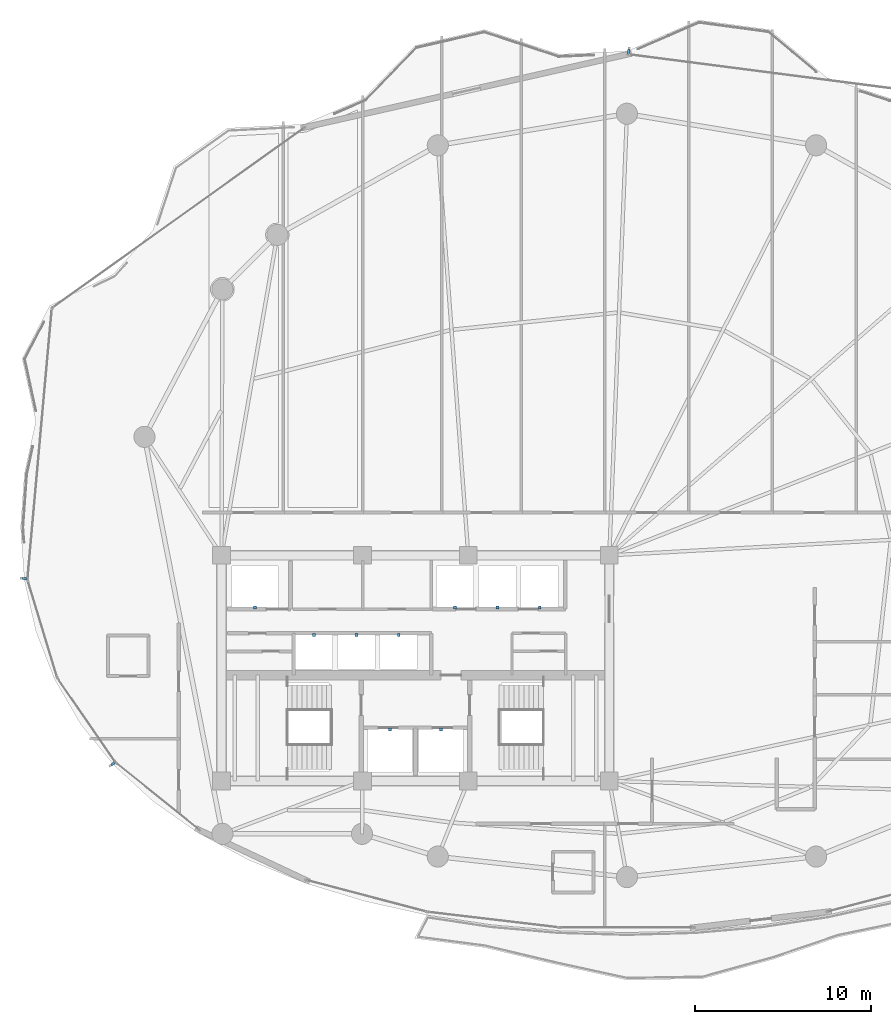
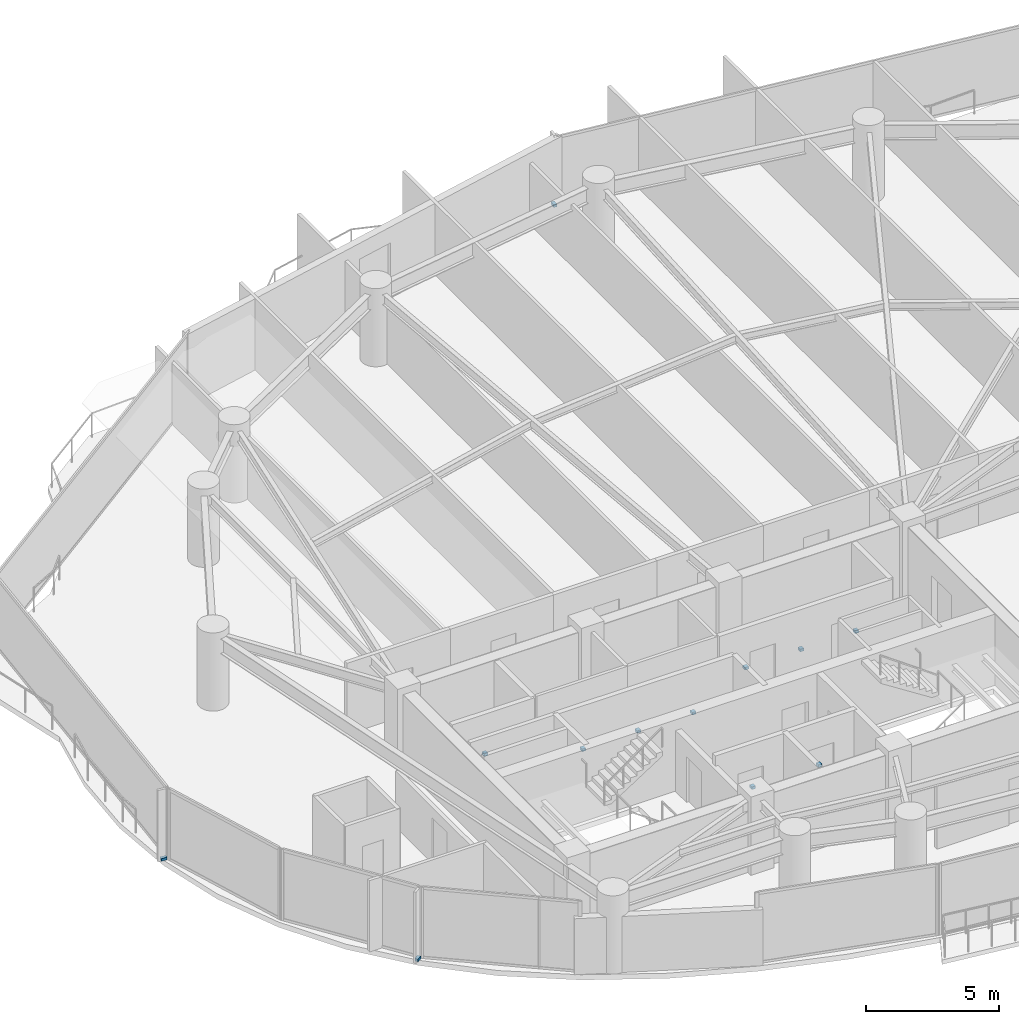
# One storey, part 29 of 33: 12 discrete accessories.
"""IFC4 building model written with IfcOpenShell, lengths in metres."""

from ifc_helpers import new_model, si_unit, direction, frame, origin, origin_2d, place, context, subcontext, project, spatial, rectangle, extrude, material, type_object, element, save


model = new_model("IFC4")

# Units and contexts
model_context = context("Model", 3, precision=1e-05, world=origin(), true_north=direction((0.0, 1.0)))
body_context = subcontext(model_context, "Body", "Model", "MODEL_VIEW")
ifc_project = project(units=[si_unit("LENGTHUNIT", "METRE"), si_unit("AREAUNIT", "SQUARE_METRE"), si_unit("VOLUMEUNIT", "CUBIC_METRE"), si_unit("PLANEANGLEUNIT", "RADIAN"), si_unit("MASSUNIT", "GRAM", prefix="KILO")], contexts=[model_context])

# Site, building, storey
site_placement = place(None, origin())
site = spatial("IfcSite", under=ifc_project, at=site_placement, CompositionType="ELEMENT")
building_placement = place(site_placement, origin())
building = spatial("IfcBuilding", under=site, at=building_placement, Name="Kazevale Care Tower and Concert Hall", CompositionType="ELEMENT")
storey_placement = place(building_placement, frame((0.0, 0.0, 178.199951171875)))
storey = spatial("IfcBuildingStorey", under=building, at=storey_placement, Name="L47", CompositionType="ELEMENT", Elevation=178.199951171875)

# Discrete accessories
ifc_material = material(Name="Stainless Steel 316", Category="steel")
discrete_accessory_type_1 = type_object("IfcDiscreteAccessoryType", Name="Facade Fin Stainless Anchor Bracket BRK-1", PredefinedType="BRACKET", material=ifc_material)
for number, where, z_axis, x_axis, name in (
    (1, (15.84130859375, 24.574462890625, 0.0), (0.0, 0.0, 1.0), (-0.823334533242, -0.567556381667, 0.0), "cw:L47:f11:brk"),
    (2, (10.829345703125, 35.0791015625, 0.0), (0.0, 0.0, 1.0), (-0.995963111248, 0.089763472712, 0.0), "cw:L47:f13:brk"),
    (3, (45.09814453125, 64.970947265625, 0.0), (0.0, 0.0, 1.0), (0.12827634114, 0.991738463661, 0.0), "cw:L47:f16:brk"),
):
    element("IfcDiscreteAccessory", number, at=place(storey_placement, frame(where, z_axis=z_axis, x_axis=x_axis)), inside=storey, type_object=discrete_accessory_type_1, Name=name, PredefinedType="BRACKET", context=body_context, shape_type="SweptSolid", body=[
        extrude(rectangle(XDim=0.239990234375, YDim=0.139892578125, at=origin_2d()), origin(), (0.0, 0.0, 1.0), 0.1201171875),
    ])
discrete_accessory_type_2 = type_object("IfcDiscreteAccessoryType", Name="Hoistway Guide-Rail Wall Bracket HBRK-1", PredefinedType="BRACKET", material=ifc_material)
for number, where, z_axis, x_axis, name in (
    (4, (31.550048828125, 26.52001953125, 1.239990234375), (0.0, 0.0, 1.0), (1.0, 0.0, 0.0), "hbrk:FFL-1:L47"),
    (5, (34.449951171875, 26.52001953125, 1.239990234375), (0.0, 0.0, 1.0), (1.0, 0.0, 0.0), "hbrk:FFL-2:L47"),
    (6, (23.89990234375, 33.449951171875, 1.239990234375), (0.0, 0.0, 1.0), (1.0, 0.0, 0.0), "hbrk:SVL-1:L47"),
    (7, (35.25, 33.449951171875, 1.239990234375), (0.0, 0.0, 1.0), (1.0, 0.0, 0.0), "hbrk:PM-1:L47"),
    (8, (37.64990234375, 33.449951171875, 1.239990234375), (0.0, 0.0, 1.0), (1.0, 0.0, 0.0), "hbrk:PM-2:L47"),
    (9, (40.050048828125, 33.449951171875, 1.239990234375), (0.0, 0.0, 1.0), (1.0, 0.0, 0.0), "hbrk:PM-3:L47"),
    (10, (27.25, 31.8798828125, 1.239990234375), (0.0, 0.0, 1.0), (1.0, 0.0, 0.0), "hbrk:PH-1:L47"),
    (11, (29.64990234375, 31.8798828125, 1.239990234375), (0.0, 0.0, 1.0), (1.0, 0.0, 0.0), "hbrk:PH-2:L47"),
    (12, (32.050048828125, 31.8798828125, 1.239990234375), (0.0, 0.0, 1.0), (1.0, 0.0, 0.0), "hbrk:PH-3:L47"),
):
    element("IfcDiscreteAccessory", number, at=place(storey_placement, frame(where, z_axis=z_axis, x_axis=x_axis)), inside=storey, type_object=discrete_accessory_type_2, Name=name, PredefinedType="BRACKET", context=body_context, shape_type="SweptSolid", body=[
        extrude(rectangle(XDim=0.159912109375, YDim=0.179931640625, at=origin_2d()), origin(), (0.0, 0.0, 1.0), 0.1201171875),
    ])

save(model, "model.ifc")
